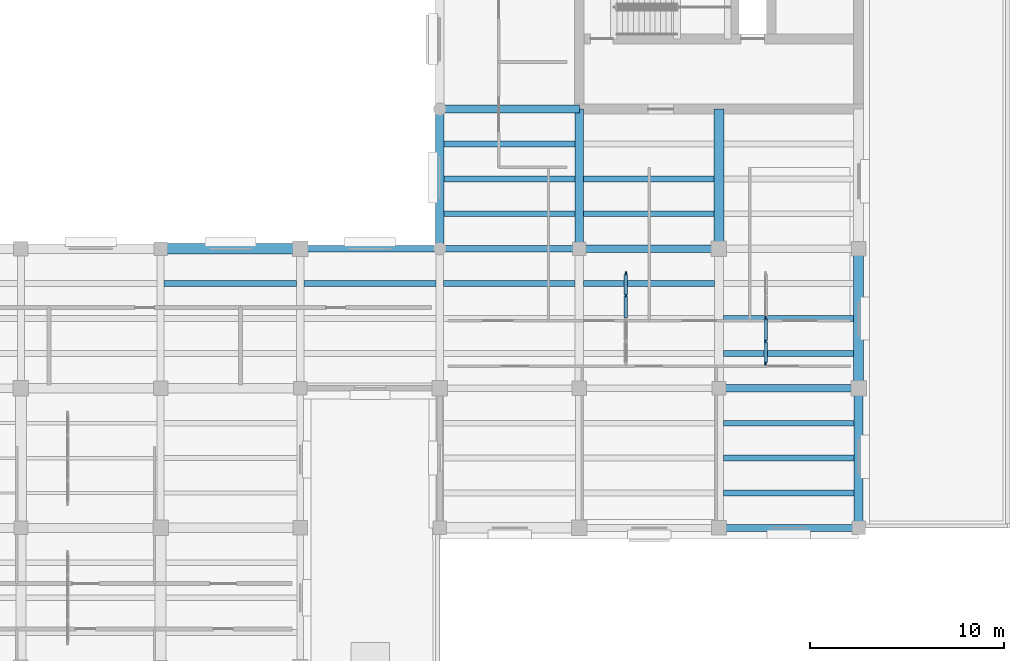
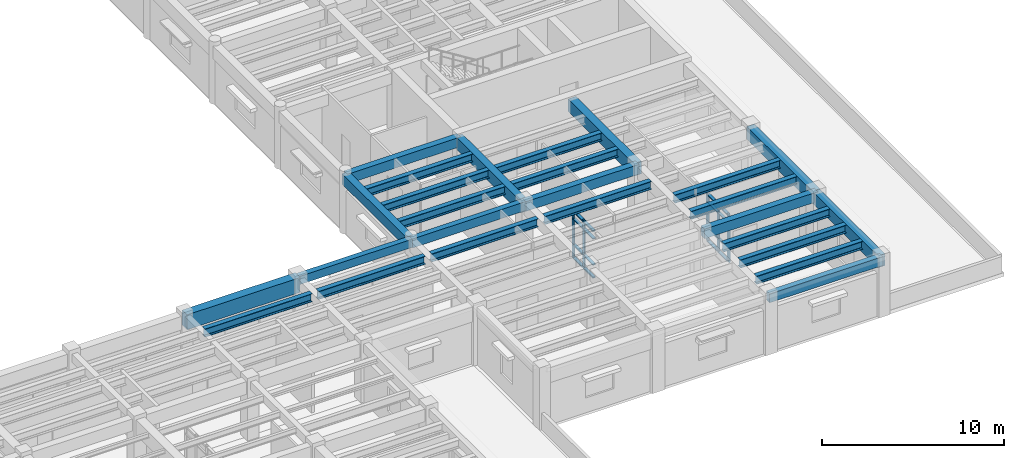
# One storey, part 26 of 76: 26 beams, 21 members, 2 elements without a shape of their own.
"""IFC4 building model written with IfcOpenShell, lengths in metres."""

import ifcopenshell
import ifcopenshell.guid

model = None  # the IFC model being written
_history = None  # IfcOwnerHistory: only IFC2X3 demands one
_inside = {}  # id of a spatial element -> (the spatial element, [elements in it])
_under = {}  # id of a project, library or spatial element -> (it, [spatial elements below it])
_declared = {}  # id of a project -> (the project, [libraries it declares])
_typed = {}  # id of a type object -> (the type object, [elements of that type])
_made_of = {}  # id of a material, layer set ... -> (it, [elements and type objects made of it])


def new_model(schema):
    """Start an empty IFC model of exactly this schema.

    Asked for "IFC4X3", IfcOpenShell would pick the latest addendum, in which some entities
    have other attributes; the version numbers below select the first issue.
    IFC2X3 requires an IfcOwnerHistory on every rooted entity: one is made here for all.
    """
    global model, _history
    if schema == "IFC4X3":
        model = ifcopenshell.file(schema_version=(4, 3, 0, 0))
    else:
        model = ifcopenshell.file(schema=schema)
    _inside.clear()
    _under.clear()
    _declared.clear()
    _typed.clear()
    _made_of.clear()
    _history = None
    if model.schema == "IFC2X3":
        org = make("IfcOrganization", Name="unknown")
        user = make(
            "IfcPersonAndOrganization",
            ThePerson=make("IfcPerson", FamilyName="unknown"),
            TheOrganization=org,
        )
        app = make(
            "IfcApplication",
            ApplicationDeveloper=org,
            Version="unknown",
            ApplicationFullName="unknown",
            ApplicationIdentifier="unknown",
        )
        _history = make(
            "IfcOwnerHistory",
            OwningUser=user,
            OwningApplication=app,
            ChangeAction="ADDED",
            CreationDate=0,
        )
    return model


def make(cls, **values):
    """One entity of the class cls with the attributes given. An attribute that is None is left unset."""
    return model.create_entity(
        cls, **{name: value for name, value in values.items() if value is not None}
    )


def rooted(cls, **values):
    """An entity with a GlobalId (a new one), such as an element, a storey or a relation."""
    return make(cls, GlobalId=ifcopenshell.guid.new(), OwnerHistory=_history, **values)


def si_unit(unit_type, name, prefix=None):
    """IfcSIUnit, for example si_unit("LENGTHUNIT", "METRE", prefix="MILLI")."""
    return make("IfcSIUnit", UnitType=unit_type, Prefix=prefix, Name=name)


def assignment(units):
    """IfcUnitAssignment: the units of a project."""
    return None if units is None else make("IfcUnitAssignment", Units=units)


def point(xyz):
    """IfcCartesianPoint."""
    return None if xyz is None else make("IfcCartesianPoint", Coordinates=xyz)


def direction(xyz):
    """IfcDirection."""
    return None if xyz is None else make("IfcDirection", DirectionRatios=xyz)


def frame(location, z_axis=None, x_axis=None):
    """IfcAxis2Placement3D, a coordinate frame: its origin and axes. An axis left out is left unset."""
    return make(
        "IfcAxis2Placement3D",
        Location=point(location),
        Axis=direction(z_axis),
        RefDirection=direction(x_axis),
    )


def frame_2d(location, x_axis=None):
    """IfcAxis2Placement2D, a coordinate frame in the plane: its origin and x axis."""
    return make(
        "IfcAxis2Placement2D", Location=point(location), RefDirection=direction(x_axis)
    )


def origin():
    """The frame at (0, 0, 0) with its axes left unset."""
    return frame((0.0, 0.0, 0.0))


def origin_2d():
    """The frame at (0, 0) in the plane with its x axis left unset."""
    return frame_2d((0.0, 0.0))


def place(relative_to, where):
    """IfcLocalPlacement: puts the frame where relative to a parent placement (None: the world)."""
    return make(
        "IfcLocalPlacement", PlacementRelTo=relative_to, RelativePlacement=where
    )


def context(
    kind, dimensions, precision=None, world=None, true_north=None, identifier=None
):
    """IfcGeometricRepresentationContext, for example the 3D "Model" context."""
    return make(
        "IfcGeometricRepresentationContext",
        ContextIdentifier=identifier,
        ContextType=kind,
        CoordinateSpaceDimension=dimensions,
        Precision=precision,
        WorldCoordinateSystem=world,
        TrueNorth=true_north,
    )


def subcontext(parent, identifier, kind, view, scale=None):
    """IfcGeometricRepresentationSubContext, for example "Body" below "Model"."""
    return make(
        "IfcGeometricRepresentationSubContext",
        ContextIdentifier=identifier,
        ContextType=kind,
        ParentContext=parent,
        TargetScale=scale,
        TargetView=view,
    )


def project(units=None, contexts=None):
    """IfcProject with its units and contexts."""
    return rooted(
        "IfcProject",
        Name="project",
        RepresentationContexts=contexts,
        UnitsInContext=assignment(units),
    )


def spatial(cls, under=None, at=None, **own):
    """A site, building, storey or space (cls), placed at a placement, below another one or the project."""
    s = rooted(cls, ObjectPlacement=at, **own)
    if under is not None:
        _under.setdefault(under.id(), (under, []))[1].append(s)
    return s


def profile(cls, at=None, kind="AREA", **sizes):
    """A parametric profile (cls). Its sizes go by their IFC names, for example OverallWidth=200.0."""
    return make(cls, ProfileType=kind, Position=at, **sizes)


def rectangle(**sizes):
    """IfcRectangleProfileDef."""
    return profile("IfcRectangleProfileDef", **sizes)


def i_section(**sizes):
    """IfcIShapeProfileDef."""
    return profile("IfcIShapeProfileDef", **sizes)


def extrude(swept, where, along, depth):
    """IfcExtrudedAreaSolid: the profile swept, set in the frame where, extruded along a direction by depth."""
    return make(
        "IfcExtrudedAreaSolid",
        SweptArea=swept,
        Position=where,
        ExtrudedDirection=direction(along),
        Depth=depth,
    )


def shape(context_of_items, identifier, shape_type, items):
    """IfcShapeRepresentation: the items that make up one representation, for example the "Body"."""
    return make(
        "IfcShapeRepresentation",
        ContextOfItems=context_of_items,
        RepresentationIdentifier=identifier,
        RepresentationType=shape_type,
        Items=items,
    )


def material(Name=None, Category=None):
    """IfcMaterial."""
    return make("IfcMaterial", Name=Name, Category=Category)


def material_profile(
    of_material, cross_section, Name=None, Category=None, Priority=None
):
    """IfcMaterialProfile: a cross section and its material."""
    return make(
        "IfcMaterialProfile",
        Name=Name,
        Material=of_material,
        Profile=cross_section,
        Priority=Priority,
        Category=Category,
    )


def profile_set(profiles, Name=None, composite=None):
    """IfcMaterialProfileSet."""
    return make(
        "IfcMaterialProfileSet",
        Name=Name,
        MaterialProfiles=profiles,
        CompositeProfile=composite,
    )


def made_of(thing, what):
    """Note that an element or type object is made of a material, layer set ...; save() writes the relation."""
    if what is not None:
        _made_of.setdefault(what.id(), (what, []))[1].append(thing)
    return thing


def type_object(cls, material=None, **own):
    """A type object (cls), such as IfcWallType, which elements share."""
    return made_of(rooted(cls, **own), material)


def element(
    cls,
    number,
    at=None,
    inside=None,
    cuts=None,
    type_object=None,
    material=None,
    context=None,
    identifier="Body",
    shape_type=None,
    held_by="IfcProductDefinitionShape",
    body=None,
    shapes=None,
    **own,
):
    """One element of the class cls, such as IfcWall. Its Tag is "e" and its number.

    at: its placement. inside: the storey or other place that contains it. cuts: it is an
    opening in that element (IfcRelVoidsElement). A single representation is given by context,
    identifier, shape_type and body (its items); several are given by shapes. held_by: the class
    of the entity that holds the representations. save() writes the other relations.
    """
    e = rooted(cls, Tag="e%d" % number, ObjectPlacement=at, **own)
    if body is not None:
        shapes = [shape(context, identifier, shape_type, body)]
    if shapes is not None:
        e.Representation = make(held_by, Representations=shapes)
    if inside is not None:
        _inside.setdefault(inside.id(), (inside, []))[1].append(e)
    if cuts is not None:
        rooted(
            "IfcRelVoidsElement", RelatingBuildingElement=cuts, RelatedOpeningElement=e
        )
    if type_object is not None:
        _typed.setdefault(type_object.id(), (type_object, []))[1].append(e)
    return made_of(e, material)


def aggregate(whole, parts):
    """IfcRelAggregates: a whole, such as a stair, and the parts it consists of."""
    return rooted("IfcRelAggregates", RelatingObject=whole, RelatedObjects=parts)


def save(model, path):
    """Write the relations noted so far, then the file.

    IfcRelAggregates (storeys below a building ...), IfcRelContainedInSpatialStructure (elements
    in a storey), IfcRelDefinesByType, IfcRelAssociatesMaterial and IfcRelDeclares: one each for
    every whole, place, type object, material and project.
    """
    for whole, parts in _under.values():
        aggregate(whole, parts)
    for where, things in _inside.values():
        rooted(
            "IfcRelContainedInSpatialStructure",
            RelatedElements=things,
            RelatingStructure=where,
        )
    for kind, things in _typed.values():
        rooted("IfcRelDefinesByType", RelatedObjects=things, RelatingType=kind)
    for what, things in _made_of.values():
        rooted("IfcRelAssociatesMaterial", RelatedObjects=things, RelatingMaterial=what)
    for by, libraries in _declared.values():
        rooted("IfcRelDeclares", RelatingContext=by, RelatedDefinitions=libraries)
    model.write(path)


model = new_model("IFC4")

# Units and contexts
model_context = context("Model", 3, precision=1e-05, world=origin(), true_north=direction((0.0, 1.0)))
body_context = subcontext(model_context, "Body", "Model", "MODEL_VIEW")
ifc_project = project(units=[si_unit("LENGTHUNIT", "METRE"), si_unit("AREAUNIT", "SQUARE_METRE"), si_unit("VOLUMEUNIT", "CUBIC_METRE"), si_unit("PLANEANGLEUNIT", "RADIAN"), si_unit("MASSUNIT", "GRAM", prefix="KILO")], contexts=[model_context])

# Site, building, storey
site_placement = place(None, origin())
site = spatial("IfcSite", under=ifc_project, at=site_placement, CompositionType="ELEMENT")
building_placement = place(site_placement, origin())
building = spatial("IfcBuilding", under=site, at=building_placement, Name="Mithqara Police Headquarters", CompositionType="ELEMENT")
storey_placement = place(building_placement, frame((0.0, 0.0, 5.39990234375)))
storey = spatial("IfcBuildingStorey", under=building, at=storey_placement, Name="L01", CompositionType="ELEMENT", Elevation=5.39990234375)

# Beams
ifc_material_1 = material(Name="Steel S355JR", Category="steel")
ifc_material_profile_1 = material_profile(ifc_material_1, i_section(OverallWidth=0.300048828125, OverallDepth=0.550048828125, WebThickness=0.014892578125, FlangeThickness=0.029052734375, FilletRadius=0.027099609375, at=origin_2d()), Name="HEB 550")
ifc_profile_set_1 = profile_set([ifc_material_profile_1], Name="Steel S355JR")
beam_type_1 = type_object("IfcBeamType", Name="BEAM HEB550", PredefinedType="BEAM", material=ifc_profile_set_1)
beam_1_placement = place(storey_placement, frame((130.375, 33.60009765625, 3.64501953125), z_axis=(1.0, 0.0, 0.0), x_axis=(0.0, 1.0, 0.0)))
element("IfcBeam", 1, at=beam_1_placement, inside=storey, type_object=beam_type_1, Name="L01 Composite Steel Joist 19-20/E.3", PredefinedType="BEAM", context=body_context, shape_type="SweptSolid", body=[
    extrude(i_section(OverallWidth=0.300048828125, OverallDepth=0.550048828125, WebThickness=0.014892578125, FlangeThickness=0.029052734375, FilletRadius=0.027099609375, at=origin_2d()), origin(), (0.0, 0.0, 1.0), 6.824951171875),
])
beam_2_placement = place(storey_placement, frame((137.60009765625, 33.60009765625, 3.64501953125), z_axis=(1.0, 0.0, 0.0), x_axis=(0.0, 1.0, 0.0)))
element("IfcBeam", 2, at=beam_2_placement, inside=storey, type_object=beam_type_1, Name="L01 Composite Steel Joist 20-21/E.3", PredefinedType="BEAM", context=body_context, shape_type="SweptSolid", body=[
    extrude(i_section(OverallWidth=0.300048828125, OverallDepth=0.550048828125, WebThickness=0.014892578125, FlangeThickness=0.029052734375, FilletRadius=0.027099609375, at=origin_2d()), origin(), (0.0, 0.0, 1.0), 6.7998046875),
])
beam_3_placement = place(storey_placement, frame((144.800048828125, 33.60009765625, 3.64501953125), z_axis=(1.0, 0.0, 0.0), x_axis=(0.0, 1.0, 0.0)))
element("IfcBeam", 3, at=beam_3_placement, inside=storey, type_object=beam_type_1, Name="L01 Composite Steel Joist 21-22/E.3", PredefinedType="BEAM", context=body_context, shape_type="SweptSolid", body=[
    extrude(i_section(OverallWidth=0.300048828125, OverallDepth=0.550048828125, WebThickness=0.014892578125, FlangeThickness=0.029052734375, FilletRadius=0.027099609375, at=origin_2d()), origin(), (0.0, 0.0, 1.0), 6.77490234375),
])
for number, where, z_axis, x_axis, name in (
    (4, (144.824951171875, 37.199951171875, 3.64501953125), (1.0, 0.0, 0.0), (0.0, 1.0, 0.0), "L01 Composite Steel Joist 21-22/F.1"),
    (5, (144.824951171875, 39.0, 3.64501953125), (1.0, 0.0, 0.0), (0.0, 1.0, 0.0), "L01 Composite Steel Joist 21-22/F.2"),
    (6, (144.824951171875, 40.800048828125, 3.64501953125), (1.0, 0.0, 0.0), (0.0, 1.0, 0.0), "L01 Composite Steel Joist 21-22/F.3"),
    (7, (152.02490234375, 33.60009765625, 3.64501953125), (1.0, 0.0, 0.0), (0.0, 1.0, 0.0), "L01 Composite Steel Joist 22-23/E.3"),
):
    element("IfcBeam", number, at=place(storey_placement, frame(where, z_axis=z_axis, x_axis=x_axis)), inside=storey, type_object=beam_type_1, Name=name, PredefinedType="BEAM", context=body_context, shape_type="SweptSolid", body=[
        extrude(i_section(OverallWidth=0.300048828125, OverallDepth=0.550048828125, WebThickness=0.014892578125, FlangeThickness=0.029052734375, FilletRadius=0.027099609375, at=origin_2d()), origin(), (0.0, 0.0, 1.0), 6.75),
    ])
for number, where, z_axis, x_axis, name in (
    (8, (152.02490234375, 37.199951171875, 3.64501953125), (1.0, 0.0, 0.0), (0.0, 1.0, 0.0), "L01 Composite Steel Joist 22-23/F.1"),
    (9, (152.02490234375, 39.0, 3.64501953125), (1.0, 0.0, 0.0), (0.0, 1.0, 0.0), "L01 Composite Steel Joist 22-23/F.2"),
):
    element("IfcBeam", number, at=place(storey_placement, frame(where, z_axis=z_axis, x_axis=x_axis)), inside=storey, type_object=beam_type_1, Name=name, PredefinedType="BEAM", context=body_context, shape_type="SweptSolid", body=[
        extrude(i_section(OverallWidth=0.300048828125, OverallDepth=0.550048828125, WebThickness=0.014892578125, FlangeThickness=0.029052734375, FilletRadius=0.027099609375, at=origin_2d()), origin(), (0.0, 0.0, 1.0), 6.72509765625),
    ])
for number, where, z_axis, x_axis, name in (
    (10, (159.22509765625, 22.800048828125, 3.64501953125), (1.0, 0.0, 0.0), (0.0, 1.0, 0.0), "L01 Composite Steel Joist 23-24/D.1"),
    (11, (159.22509765625, 24.60009765625, 3.64501953125), (1.0, 0.0, 0.0), (0.0, 1.0, 0.0), "L01 Composite Steel Joist 23-24/D.2"),
    (12, (159.22509765625, 26.39990234375, 3.64501953125), (1.0, 0.0, 0.0), (0.0, 1.0, 0.0), "L01 Composite Steel Joist 23-24/D.3"),
):
    element("IfcBeam", number, at=place(storey_placement, frame(where, z_axis=z_axis, x_axis=x_axis)), inside=storey, type_object=beam_type_1, Name=name, PredefinedType="BEAM", context=body_context, shape_type="SweptSolid", body=[
        extrude(i_section(OverallWidth=0.300048828125, OverallDepth=0.550048828125, WebThickness=0.014892578125, FlangeThickness=0.029052734375, FilletRadius=0.027099609375, at=origin_2d()), origin(), (0.0, 0.0, 1.0), 6.75),
    ])
for number, where, z_axis, x_axis, name in (
    (13, (159.22509765625, 30.0, 3.64501953125), (1.0, 0.0, 0.0), (0.0, 1.0, 0.0), "L01 Composite Steel Joist 23-24/E.1"),
    (14, (159.22509765625, 31.800048828125, 3.64501953125), (1.0, 0.0, 0.0), (0.0, 1.0, 0.0), "L01 Composite Steel Joist 23-24/E.2"),
):
    element("IfcBeam", number, at=place(storey_placement, frame(where, z_axis=z_axis, x_axis=x_axis)), inside=storey, type_object=beam_type_1, Name=name, PredefinedType="BEAM", context=body_context, shape_type="SweptSolid", body=[
        extrude(i_section(OverallWidth=0.300048828125, OverallDepth=0.550048828125, WebThickness=0.014892578125, FlangeThickness=0.029052734375, FilletRadius=0.027099609375, at=origin_2d()), origin(), (0.0, 0.0, 1.0), 6.724853515625),
    ])
ifc_material_2 = material(Name="Concrete C40/50", Category="concrete")
ifc_material_profile_2 = material_profile(ifc_material_2, rectangle(XDim=0.35009765625, YDim=0.550048828125, at=origin_2d()), Name="RC 350x550")
ifc_profile_set_2 = profile_set([ifc_material_profile_2], Name="Concrete C40/50")
beam_type_2 = type_object("IfcBeamType", Name="BEAM RC350X550", PredefinedType="BEAM", material=ifc_profile_set_2)
beam_4_placement = place(storey_placement, frame((137.39990234375, 35.39990234375, 3.64501953125), z_axis=(1.0, 0.0, 0.0), x_axis=(0.0, 1.0, 0.0)))
element("IfcBeam", 15, at=beam_4_placement, inside=storey, type_object=beam_type_2, Name="L01 Girder 20-21/F", PredefinedType="BEAM", context=body_context, shape_type="SweptSolid", body=[
    extrude(rectangle(XDim=0.35009765625, YDim=0.550048828125, at=origin_2d()), origin(), (0.0, 0.0, 1.0), 7.2001953125),
])
ifc_material_profile_3 = material_profile(ifc_material_2, rectangle(XDim=0.35009765625, YDim=0.60009765625, at=origin_2d()), Name="RC 350x600")
ifc_profile_set_3 = profile_set([ifc_material_profile_3], Name="Concrete C40/50")
beam_type_3 = type_object("IfcBeamType", Name="BEAM RC350X600", PredefinedType="BEAM", material=ifc_profile_set_3)
for number, where, z_axis, x_axis, name in (
    (16, (144.60009765625, 35.39990234375, 3.6201171875), (1.0, 0.0, 0.0), (0.0, 1.0, 0.0), "L01 Girder 21-22/F"),
    (17, (159.0, 21.0, 3.6201171875), (1.0, 0.0, 0.0), (0.0, 1.0, 0.0), "L01 Girder 23-24/D"),
):
    element("IfcBeam", number, at=place(storey_placement, frame(where, z_axis=z_axis, x_axis=x_axis)), inside=storey, type_object=beam_type_3, Name=name, PredefinedType="BEAM", context=body_context, shape_type="SweptSolid", body=[
        extrude(rectangle(XDim=0.35009765625, YDim=0.60009765625, at=origin_2d()), origin(), (0.0, 0.0, 1.0), 7.199951171875),
    ])
ifc_material_profile_4 = material_profile(ifc_material_2, rectangle(XDim=0.39990234375, YDim=0.64990234375, at=origin_2d()), Name="RC 400x650")
ifc_profile_set_4 = profile_set([ifc_material_profile_4], Name="Concrete C40/50")
beam_type_4 = type_object("IfcBeamType", Name="BEAM RC400X650", PredefinedType="BEAM", material=ifc_profile_set_4)
for number, where, z_axis, x_axis, name in (
    (18, (144.60009765625, 42.60009765625, 3.59521484375), (1.0, 0.0, 0.0), (0.0, 1.0, 0.0), "L01 Girder 21-22/G"),
    (19, (151.800048828125, 35.39990234375, 3.59521484375), (1.0, 0.0, 0.0), (0.0, 1.0, 0.0), "L01 Girder 22-23/F"),
    (20, (159.0, 28.199951171875, 3.59521484375), (1.0, 0.0, 0.0), (0.0, 1.0, 0.0), "L01 Girder 23-24/E"),
):
    element("IfcBeam", number, at=place(storey_placement, frame(where, z_axis=z_axis, x_axis=x_axis)), inside=storey, type_object=beam_type_4, Name=name, PredefinedType="BEAM", context=body_context, shape_type="SweptSolid", body=[
        extrude(rectangle(XDim=0.39990234375, YDim=0.64990234375, at=origin_2d()), origin(), (0.0, 0.0, 1.0), 7.199951171875),
    ])
ifc_material_profile_5 = material_profile(ifc_material_2, rectangle(XDim=0.449951171875, YDim=0.699951171875, at=origin_2d()), Name="RC 450x700")
ifc_profile_set_5 = profile_set([ifc_material_profile_5], Name="Concrete C40/50")
beam_type_5 = type_object("IfcBeamType", Name="BEAM RC450X700", PredefinedType="BEAM", material=ifc_profile_set_5)
beam_5_placement = place(storey_placement, frame((144.60009765625, 35.39990234375, 3.570068359375), z_axis=(0.0, 1.0, 0.0), x_axis=(-1.0, 0.0, 0.0)))
element("IfcBeam", 21, at=beam_5_placement, inside=storey, type_object=beam_type_5, Name="L01 Girder 21/F-G", PredefinedType="BEAM", context=body_context, shape_type="SweptSolid", body=[
    extrude(rectangle(XDim=0.449951171875, YDim=0.699951171875, at=origin_2d()), origin(), (0.0, 0.0, 1.0), 7.2001953125),
])
ifc_material_profile_6 = material_profile(ifc_material_2, rectangle(XDim=0.449951171875, YDim=0.800048828125, at=origin_2d()), Name="RC 450x800")
ifc_profile_set_6 = profile_set([ifc_material_profile_6], Name="Concrete C40/50")
beam_type_6 = type_object("IfcBeamType", Name="BEAM RC450X800", PredefinedType="BEAM", material=ifc_profile_set_6)
beam_6_placement = place(storey_placement, frame((151.800048828125, 35.39990234375, 3.52001953125), z_axis=(0.0, 1.0, 0.0), x_axis=(-1.0, 0.0, 0.0)))
element("IfcBeam", 22, at=beam_6_placement, inside=storey, type_object=beam_type_6, Name="L01 Girder 22/F-G", PredefinedType="BEAM", context=body_context, shape_type="SweptSolid", body=[
    extrude(rectangle(XDim=0.449951171875, YDim=0.800048828125, at=origin_2d()), origin(), (0.0, 0.0, 1.0), 7.2001953125),
])
beam_7_placement = place(storey_placement, frame((166.199951171875, 21.0, 3.52001953125), z_axis=(0.0, 1.0, 0.0), x_axis=(-1.0, 0.0, 0.0)))
element("IfcBeam", 23, at=beam_7_placement, inside=storey, type_object=beam_type_6, Name="L01 Girder 24/D-E", PredefinedType="BEAM", context=body_context, shape_type="SweptSolid", body=[
    extrude(rectangle(XDim=0.449951171875, YDim=0.800048828125, at=origin_2d()), origin(), (0.0, 0.0, 1.0), 7.199951171875),
])
ifc_material_profile_7 = material_profile(ifc_material_2, rectangle(XDim=0.5, YDim=0.85009765625, at=origin_2d()), Name="RC 500x850")
ifc_profile_set_7 = profile_set([ifc_material_profile_7], Name="Concrete C40/50")
beam_type_7 = type_object("IfcBeamType", Name="BEAM RC500X850", PredefinedType="BEAM", material=ifc_profile_set_7)
beam_8_placement = place(storey_placement, frame((159.0, 35.39990234375, 3.4951171875), z_axis=(0.0, 1.0, 0.0), x_axis=(-1.0, 0.0, 0.0)))
element("IfcBeam", 24, at=beam_8_placement, inside=storey, type_object=beam_type_7, Name="L01 Girder 23/F-G", PredefinedType="BEAM", context=body_context, shape_type="SweptSolid", body=[
    extrude(rectangle(XDim=0.5, YDim=0.85009765625, at=origin_2d()), origin(), (0.0, 0.0, 1.0), 7.2001953125),
])
beam_9_placement = place(storey_placement, frame((166.199951171875, 28.199951171875, 3.4951171875), z_axis=(0.0, 1.0, 0.0), x_axis=(-1.0, 0.0, 0.0)))
element("IfcBeam", 25, at=beam_9_placement, inside=storey, type_object=beam_type_7, Name="L01 Girder 24/E-F", PredefinedType="BEAM", context=body_context, shape_type="SweptSolid", body=[
    extrude(rectangle(XDim=0.5, YDim=0.85009765625, at=origin_2d()), origin(), (0.0, 0.0, 1.0), 7.199951171875),
])
ifc_material_3 = material(Name="Concrete C50/60", Category="concrete")
ifc_material_profile_8 = material_profile(ifc_material_3, rectangle(XDim=0.550048828125, YDim=1.0, at=origin_2d()), Name="RC 550x1000")
ifc_profile_set_8 = profile_set([ifc_material_profile_8], Name="Concrete C50/60")
beam_type_8 = type_object("IfcBeamType", Name="BEAM RC550X1000", PredefinedType="BEAM", material=ifc_profile_set_8)
beam_10_placement = place(storey_placement, frame((130.199951171875, 35.39990234375, 3.420166015625), z_axis=(1.0, 0.0, 0.0), x_axis=(0.0, 1.0, 0.0)))
element("IfcBeam", 26, at=beam_10_placement, inside=storey, type_object=beam_type_8, Name="L01 Girder 19-20/F", PredefinedType="BEAM", context=body_context, shape_type="SweptSolid", body=[
    extrude(rectangle(XDim=0.550048828125, YDim=1.0, at=origin_2d()), origin(), (0.0, 0.0, 1.0), 7.199951171875),
])

# Curtain wall, members
ifc_material_4 = material(Name="Bronze anodised aluminium 6063-T6", Category="aluminium")
curtain_wall_type = type_object("IfcCurtainWallType", Name="CURTAIN WALL 4700X3200", PredefinedType="USERDEFINED", material=ifc_material_4)
curtain_wall_1_placement = place(storey_placement, origin())
curtain_wall_1 = element("IfcCurtainWall", 27, at=curtain_wall_1_placement, inside=storey, type_object=curtain_wall_type, Name="L01 Unitised Glazing CW-15 (CW-INT-L01-X21-Y04-0)", ObjectType="UNITISED GLAZING", PredefinedType="USERDEFINED")
ifc_material_profile_9 = material_profile(ifc_material_4, rectangle(XDim=0.074951171875, YDim=0.219970703125, at=origin_2d()), Name="CWM 75x220")
ifc_profile_set_9 = profile_set([ifc_material_profile_9], Name="Bronze anodised aluminium 6063-T6")
member_type_1 = type_object("IfcMemberType", Name="CWMULLION 75X220", PredefinedType="MULLION", material=ifc_profile_set_9)
member_1_placement = place(storey_placement, frame((154.199951171875, 32.97509765625, 0.0), z_axis=(0.0, 0.0, 1.0), x_axis=(-1.0, 0.0, 0.0)))
member_1 = element("IfcMember", 28, at=member_1_placement, type_object=member_type_1, Name="CW-15 mullion 4", PredefinedType="MULLION", context=body_context, shape_type="SweptSolid", body=[
    extrude(rectangle(XDim=0.074951171875, YDim=0.219970703125, at=origin_2d()), origin(), (0.0, 0.0, 1.0), 3.2001953125),
])
member_2_placement = place(storey_placement, frame((154.199951171875, 34.112548828125, 0.0), z_axis=(0.0, 0.0, 1.0), x_axis=(-1.0, 0.0, 0.0)))
member_2 = element("IfcMember", 29, at=member_2_placement, type_object=member_type_1, Name="CW-15 mullion 5", PredefinedType="MULLION", context=body_context, shape_type="SweptSolid", body=[
    extrude(rectangle(XDim=0.074951171875, YDim=0.219970703125, at=origin_2d()), origin(), (0.0, 0.0, 1.0), 3.2001953125),
])

curtain_wall_2_placement = place(storey_placement, origin())
curtain_wall_2 = element("IfcCurtainWall", 30, at=curtain_wall_2_placement, inside=storey, type_object=curtain_wall_type, Name="L01 Unitised Glazing CW-15 (CW-INT-L01-X22-Y04-0)", ObjectType="UNITISED GLAZING", PredefinedType="USERDEFINED")
member_3_placement = place(storey_placement, frame((161.39990234375, 29.487548828125, 0.0), z_axis=(0.0, 0.0, 1.0), x_axis=(-1.0, 0.0, 0.0)))
member_3 = element("IfcMember", 31, at=member_3_placement, type_object=member_type_1, Name="CW-15 mullion 1", PredefinedType="MULLION", context=body_context, shape_type="SweptSolid", body=[
    extrude(rectangle(XDim=0.074951171875, YDim=0.219970703125, at=origin_2d()), origin(), (0.0, 0.0, 1.0), 3.2001953125),
])
member_4_placement = place(storey_placement, frame((161.39990234375, 30.625, 0.0), z_axis=(0.0, 0.0, 1.0), x_axis=(-1.0, 0.0, 0.0)))
member_4 = element("IfcMember", 32, at=member_4_placement, type_object=member_type_1, Name="CW-15 mullion 2", PredefinedType="MULLION", context=body_context, shape_type="SweptSolid", body=[
    extrude(rectangle(XDim=0.074951171875, YDim=0.219970703125, at=origin_2d()), origin(), (0.0, 0.0, 1.0), 3.2001953125),
])
member_5_placement = place(storey_placement, frame((161.39990234375, 31.800048828125, 0.0), z_axis=(0.0, 0.0, 1.0), x_axis=(-1.0, 0.0, 0.0)))
member_5 = element("IfcMember", 33, at=member_5_placement, type_object=member_type_1, Name="CW-15 mullion 3", PredefinedType="MULLION", context=body_context, shape_type="SweptSolid", body=[
    extrude(rectangle(XDim=0.074951171875, YDim=0.219970703125, at=origin_2d()), origin(), (0.0, 0.0, 1.0), 3.2001953125),
])

# Member
ifc_material_profile_10 = material_profile(ifc_material_4, rectangle(XDim=0.179931640625, YDim=0.074951171875, at=origin_2d()), Name="CWT 180x75")
ifc_profile_set_10 = profile_set([ifc_material_profile_10], Name="Bronze anodised aluminium 6063-T6")
member_type_2 = type_object("IfcMemberType", Name="CWTRANSOM 180X75", PredefinedType="USERDEFINED", material=ifc_profile_set_10)
member_6_placement = place(storey_placement, frame((154.199951171875, 31.83740234375, 0.03759765625), z_axis=(0.0, 1.0, 0.0), x_axis=(-1.0, 0.0, 0.0)))
member_6 = element("IfcMember", 34, at=member_6_placement, type_object=member_type_2, Name="CW-15 transom 3.1", ObjectType="TRANSOM", PredefinedType="USERDEFINED", context=body_context, shape_type="SweptSolid", body=[
    extrude(rectangle(XDim=0.179931640625, YDim=0.074951171875, at=origin_2d()), origin(), (0.0, 0.0, 1.0), 1.10009765625),
])

member_7_placement = place(storey_placement, frame((154.199951171875, 31.83740234375, 0.900146484375), z_axis=(0.0, 1.0, 0.0), x_axis=(-1.0, 0.0, 0.0)))
member_7 = element("IfcMember", 35, at=member_7_placement, type_object=member_type_2, Name="CW-15 transom 3.2", ObjectType="TRANSOM", PredefinedType="USERDEFINED", context=body_context, shape_type="SweptSolid", body=[
    extrude(rectangle(XDim=0.179931640625, YDim=0.074951171875, at=origin_2d()), origin(), (0.0, 0.0, 1.0), 1.10009765625),
])

member_8_placement = place(storey_placement, frame((154.199951171875, 31.83740234375, 2.650146484375), z_axis=(0.0, 1.0, 0.0), x_axis=(-1.0, 0.0, 0.0)))
member_8 = element("IfcMember", 36, at=member_8_placement, type_object=member_type_2, Name="CW-15 transom 3.3", ObjectType="TRANSOM", PredefinedType="USERDEFINED", context=body_context, shape_type="SweptSolid", body=[
    extrude(rectangle(XDim=0.179931640625, YDim=0.074951171875, at=origin_2d()), origin(), (0.0, 0.0, 1.0), 1.10009765625),
])

member_9_placement = place(storey_placement, frame((154.199951171875, 31.83740234375, 3.16259765625), z_axis=(0.0, 1.0, 0.0), x_axis=(-1.0, 0.0, 0.0)))
member_9 = element("IfcMember", 37, at=member_9_placement, type_object=member_type_2, Name="CW-15 transom 3.4", ObjectType="TRANSOM", PredefinedType="USERDEFINED", context=body_context, shape_type="SweptSolid", body=[
    extrude(rectangle(XDim=0.179931640625, YDim=0.074951171875, at=origin_2d()), origin(), (0.0, 0.0, 1.0), 1.10009765625),
])

member_10_placement = place(storey_placement, frame((154.199951171875, 33.012451171875, 0.03759765625), z_axis=(0.0, 1.0, 0.0), x_axis=(-1.0, 0.0, 0.0)))
member_10 = element("IfcMember", 38, at=member_10_placement, type_object=member_type_2, Name="CW-15 transom 4.1", ObjectType="TRANSOM", PredefinedType="USERDEFINED", context=body_context, shape_type="SweptSolid", body=[
    extrude(rectangle(XDim=0.179931640625, YDim=0.074951171875, at=origin_2d()), origin(), (0.0, 0.0, 1.0), 1.0625),
])

member_11_placement = place(storey_placement, frame((154.199951171875, 33.012451171875, 0.900146484375), z_axis=(0.0, 1.0, 0.0), x_axis=(-1.0, 0.0, 0.0)))
member_11 = element("IfcMember", 39, at=member_11_placement, type_object=member_type_2, Name="CW-15 transom 4.2", ObjectType="TRANSOM", PredefinedType="USERDEFINED", context=body_context, shape_type="SweptSolid", body=[
    extrude(rectangle(XDim=0.179931640625, YDim=0.074951171875, at=origin_2d()), origin(), (0.0, 0.0, 1.0), 1.0625),
])

member_12_placement = place(storey_placement, frame((154.199951171875, 33.012451171875, 2.650146484375), z_axis=(0.0, 1.0, 0.0), x_axis=(-1.0, 0.0, 0.0)))
member_12 = element("IfcMember", 40, at=member_12_placement, type_object=member_type_2, Name="CW-15 transom 4.3", ObjectType="TRANSOM", PredefinedType="USERDEFINED", context=body_context, shape_type="SweptSolid", body=[
    extrude(rectangle(XDim=0.179931640625, YDim=0.074951171875, at=origin_2d()), origin(), (0.0, 0.0, 1.0), 1.0625),
])

member_13_placement = place(storey_placement, frame((154.199951171875, 33.012451171875, 3.16259765625), z_axis=(0.0, 1.0, 0.0), x_axis=(-1.0, 0.0, 0.0)))
member_13 = element("IfcMember", 41, at=member_13_placement, type_object=member_type_2, Name="CW-15 transom 4.4", ObjectType="TRANSOM", PredefinedType="USERDEFINED", context=body_context, shape_type="SweptSolid", body=[
    extrude(rectangle(XDim=0.179931640625, YDim=0.074951171875, at=origin_2d()), origin(), (0.0, 0.0, 1.0), 1.0625),
])

aggregate(curtain_wall_1, [member_1, member_2, member_6, member_7, member_8, member_9, member_10, member_11, member_12, member_13])

member_14_placement = place(storey_placement, frame((161.39990234375, 29.52490234375, 0.03759765625), z_axis=(0.0, 1.0, 0.0), x_axis=(-1.0, 0.0, 0.0)))
member_14 = element("IfcMember", 42, at=member_14_placement, type_object=member_type_2, Name="CW-15 transom 1.1", ObjectType="TRANSOM", PredefinedType="USERDEFINED", context=body_context, shape_type="SweptSolid", body=[
    extrude(rectangle(XDim=0.179931640625, YDim=0.074951171875, at=origin_2d()), origin(), (0.0, 0.0, 1.0), 1.0625),
])

member_15_placement = place(storey_placement, frame((161.39990234375, 29.52490234375, 0.900146484375), z_axis=(0.0, 1.0, 0.0), x_axis=(-1.0, 0.0, 0.0)))
member_15 = element("IfcMember", 43, at=member_15_placement, type_object=member_type_2, Name="CW-15 transom 1.2", ObjectType="TRANSOM", PredefinedType="USERDEFINED", context=body_context, shape_type="SweptSolid", body=[
    extrude(rectangle(XDim=0.179931640625, YDim=0.074951171875, at=origin_2d()), origin(), (0.0, 0.0, 1.0), 1.0625),
])

member_16_placement = place(storey_placement, frame((161.39990234375, 29.52490234375, 2.650146484375), z_axis=(0.0, 1.0, 0.0), x_axis=(-1.0, 0.0, 0.0)))
member_16 = element("IfcMember", 44, at=member_16_placement, type_object=member_type_2, Name="CW-15 transom 1.3", ObjectType="TRANSOM", PredefinedType="USERDEFINED", context=body_context, shape_type="SweptSolid", body=[
    extrude(rectangle(XDim=0.179931640625, YDim=0.074951171875, at=origin_2d()), origin(), (0.0, 0.0, 1.0), 1.0625),
])

member_17_placement = place(storey_placement, frame((161.39990234375, 29.52490234375, 3.16259765625), z_axis=(0.0, 1.0, 0.0), x_axis=(-1.0, 0.0, 0.0)))
member_17 = element("IfcMember", 45, at=member_17_placement, type_object=member_type_2, Name="CW-15 transom 1.4", ObjectType="TRANSOM", PredefinedType="USERDEFINED", context=body_context, shape_type="SweptSolid", body=[
    extrude(rectangle(XDim=0.179931640625, YDim=0.074951171875, at=origin_2d()), origin(), (0.0, 0.0, 1.0), 1.0625),
])

member_18_placement = place(storey_placement, frame((161.39990234375, 30.66259765625, 0.03759765625), z_axis=(0.0, 1.0, 0.0), x_axis=(-1.0, 0.0, 0.0)))
member_18 = element("IfcMember", 46, at=member_18_placement, type_object=member_type_2, Name="CW-15 transom 2.1", ObjectType="TRANSOM", PredefinedType="USERDEFINED", context=body_context, shape_type="SweptSolid", body=[
    extrude(rectangle(XDim=0.179931640625, YDim=0.074951171875, at=origin_2d()), origin(), (0.0, 0.0, 1.0), 1.099853515625),
])

member_19_placement = place(storey_placement, frame((161.39990234375, 30.66259765625, 0.900146484375), z_axis=(0.0, 1.0, 0.0), x_axis=(-1.0, 0.0, 0.0)))
member_19 = element("IfcMember", 47, at=member_19_placement, type_object=member_type_2, Name="CW-15 transom 2.2", ObjectType="TRANSOM", PredefinedType="USERDEFINED", context=body_context, shape_type="SweptSolid", body=[
    extrude(rectangle(XDim=0.179931640625, YDim=0.074951171875, at=origin_2d()), origin(), (0.0, 0.0, 1.0), 1.099853515625),
])

member_20_placement = place(storey_placement, frame((161.39990234375, 30.66259765625, 2.650146484375), z_axis=(0.0, 1.0, 0.0), x_axis=(-1.0, 0.0, 0.0)))
member_20 = element("IfcMember", 48, at=member_20_placement, type_object=member_type_2, Name="CW-15 transom 2.3", ObjectType="TRANSOM", PredefinedType="USERDEFINED", context=body_context, shape_type="SweptSolid", body=[
    extrude(rectangle(XDim=0.179931640625, YDim=0.074951171875, at=origin_2d()), origin(), (0.0, 0.0, 1.0), 1.099853515625),
])

member_21_placement = place(storey_placement, frame((161.39990234375, 30.66259765625, 3.16259765625), z_axis=(0.0, 1.0, 0.0), x_axis=(-1.0, 0.0, 0.0)))
member_21 = element("IfcMember", 49, at=member_21_placement, type_object=member_type_2, Name="CW-15 transom 2.4", ObjectType="TRANSOM", PredefinedType="USERDEFINED", context=body_context, shape_type="SweptSolid", body=[
    extrude(rectangle(XDim=0.179931640625, YDim=0.074951171875, at=origin_2d()), origin(), (0.0, 0.0, 1.0), 1.099853515625),
])

aggregate(curtain_wall_2, [member_3, member_4, member_5, member_14, member_15, member_16, member_17, member_18, member_19, member_20, member_21])

save(model, "model.ifc")
